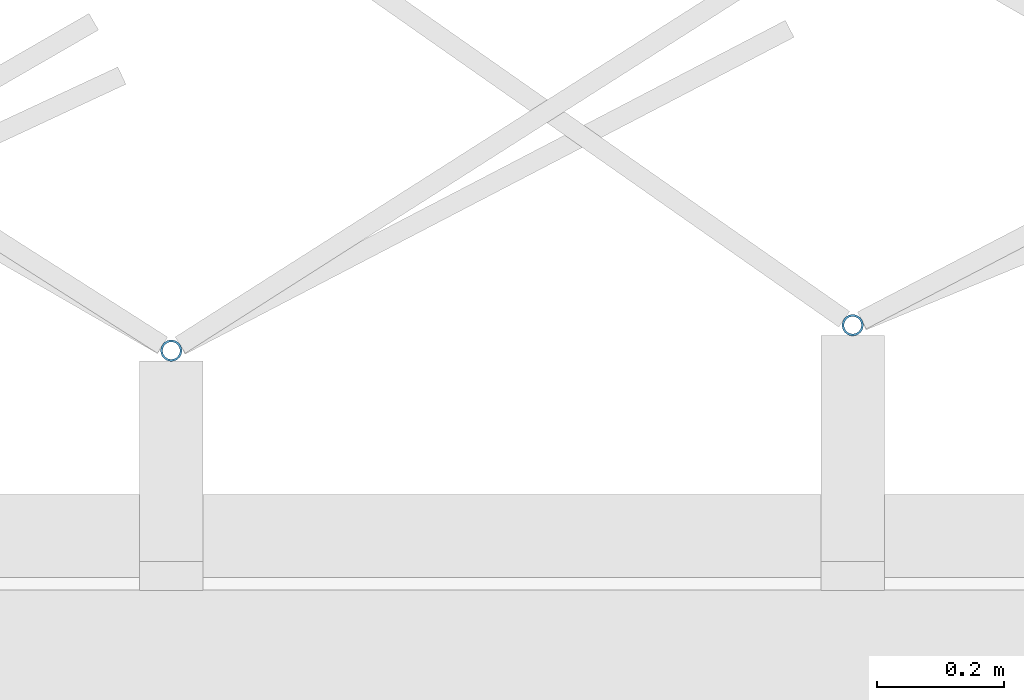
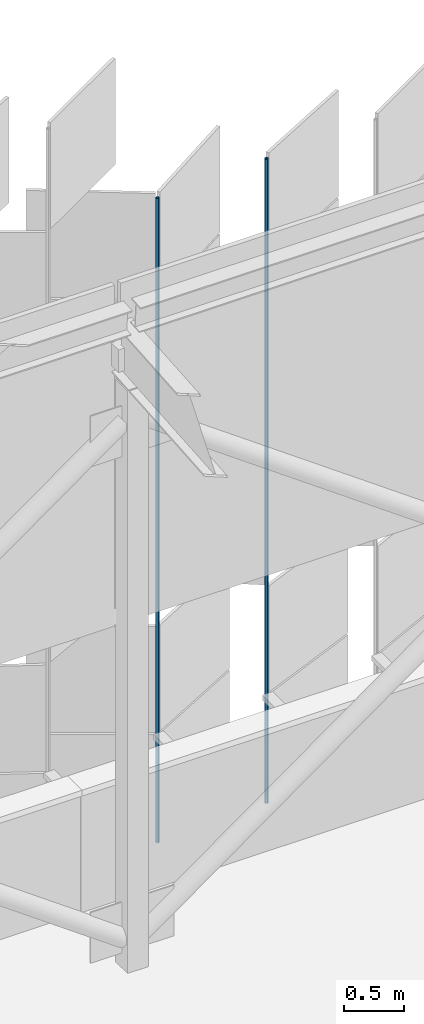
# One storey, part 376 of 483: 2 discrete accessories.
"""IFC4 building model written with IfcOpenShell, lengths in metres."""

from ifc_helpers import new_model, si_unit, direction, frame, origin, origin_2d, place, context, subcontext, project, spatial, hollow_circle, extrude, material, material_profile, profile_set, type_object, element, save


model = new_model("IFC4")

# Units and contexts
model_context = context("Model", 3, precision=1e-05, world=origin(), true_north=direction((0.0, 1.0)))
body_context = subcontext(model_context, "Body", "Model", "MODEL_VIEW")
ifc_project = project(units=[si_unit("LENGTHUNIT", "METRE"), si_unit("AREAUNIT", "SQUARE_METRE"), si_unit("VOLUMEUNIT", "CUBIC_METRE"), si_unit("PLANEANGLEUNIT", "RADIAN"), si_unit("MASSUNIT", "GRAM", prefix="KILO")], contexts=[model_context])

# Site, building, storey
site_placement = place(None, origin())
site = spatial("IfcSite", under=ifc_project, at=site_placement, CompositionType="ELEMENT")
building_placement = place(site_placement, origin())
building = spatial("IfcBuilding", under=site, at=building_placement, Name="Parallax Yard Mobility Hub", CompositionType="ELEMENT")
storey_placement = place(building_placement, frame((0.0, 0.0, 13.199951171875)))
storey = spatial("IfcBuildingStorey", under=building, at=storey_placement, Name="L04", CompositionType="ELEMENT", Elevation=13.199951171875)

# Discrete accessories
ifc_material = material(Name="Steel ASTM A500 Gr C, hot-dip galvanised", Category="steel")
ifc_material_profile = material_profile(ifc_material, hollow_circle(Radius=0.016845703125, WallThickness=0.003173828125, at=origin_2d()), Name="CHS 33.7x3.2")
ifc_profile_set = profile_set([ifc_material_profile], Name="Steel ASTM A500 Gr C, hot-dip galvanised")
discrete_accessory_type = type_object("IfcDiscreteAccessoryType", Name="Hinge post CHS 33.7x3.2", PredefinedType="BRACKET", material=ifc_profile_set)
for number, where, z_axis, x_axis, name in (
    (1, (159.643310546875, 142.870849609375, 0.0), (0.0, 0.0, 1.0), (1.0, 0.0, 0.0), "Hinge post bay 52.6 level L04"),
    (2, (158.571533203125, 142.830810546875, 0.0), (0.0, 0.0, 1.0), (1.0, 0.0, 0.0), "Hinge post bay 52.7 level L04"),
):
    element("IfcDiscreteAccessory", number, at=place(storey_placement, frame(where, z_axis=z_axis, x_axis=x_axis)), inside=storey, type_object=discrete_accessory_type, Name=name, PredefinedType="BRACKET", context=body_context, shape_type="SweptSolid", body=[
        extrude(hollow_circle(Radius=0.016845703125, WallThickness=0.003173828125, at=origin_2d()), origin(), (0.0, 0.0, 1.0), 6.550048828125),
    ])

save(model, "model.ifc")
